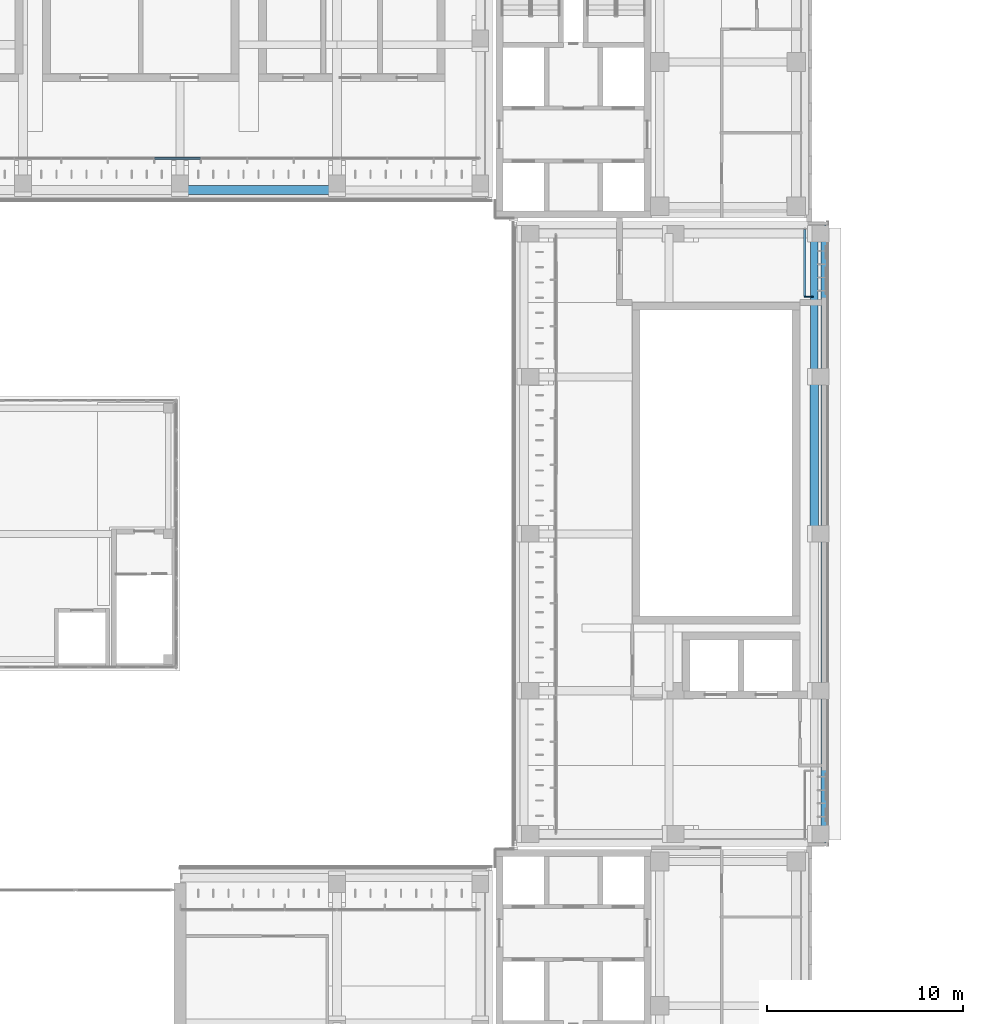
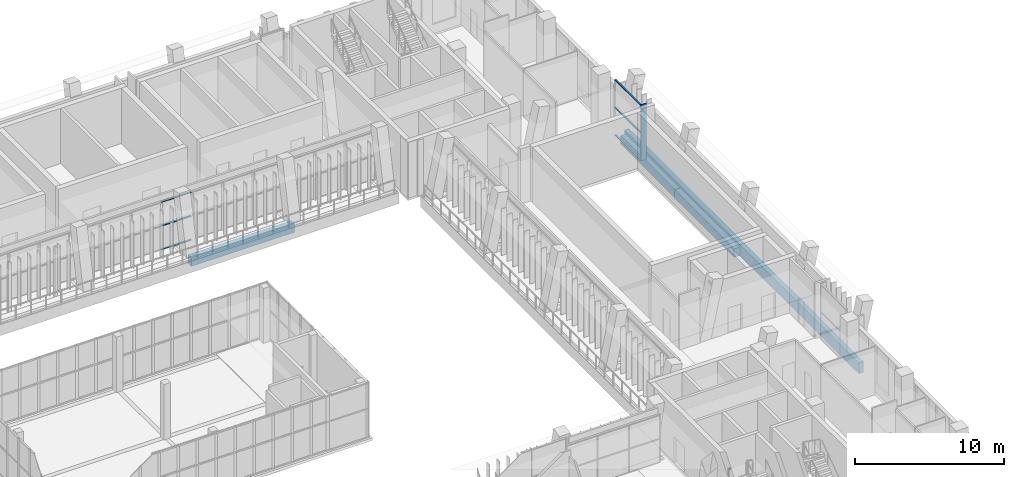
# One storey, part 44 of 92: 7 members, 4 beams, 2 elements without a shape of their own.
"""IFC4 building model written with IfcOpenShell, lengths in metres."""

import ifcopenshell
import ifcopenshell.guid

model = None  # the IFC model being written
_history = None  # IfcOwnerHistory: only IFC2X3 demands one
_inside = {}  # id of a spatial element -> (the spatial element, [elements in it])
_under = {}  # id of a project, library or spatial element -> (it, [spatial elements below it])
_declared = {}  # id of a project -> (the project, [libraries it declares])
_typed = {}  # id of a type object -> (the type object, [elements of that type])
_made_of = {}  # id of a material, layer set ... -> (it, [elements and type objects made of it])


def new_model(schema):
    """Start an empty IFC model of exactly this schema.

    Asked for "IFC4X3", IfcOpenShell would pick the latest addendum, in which some entities
    have other attributes; the version numbers below select the first issue.
    IFC2X3 requires an IfcOwnerHistory on every rooted entity: one is made here for all.
    """
    global model, _history
    if schema == "IFC4X3":
        model = ifcopenshell.file(schema_version=(4, 3, 0, 0))
    else:
        model = ifcopenshell.file(schema=schema)
    _inside.clear()
    _under.clear()
    _declared.clear()
    _typed.clear()
    _made_of.clear()
    _history = None
    if model.schema == "IFC2X3":
        org = make("IfcOrganization", Name="unknown")
        user = make(
            "IfcPersonAndOrganization",
            ThePerson=make("IfcPerson", FamilyName="unknown"),
            TheOrganization=org,
        )
        app = make(
            "IfcApplication",
            ApplicationDeveloper=org,
            Version="unknown",
            ApplicationFullName="unknown",
            ApplicationIdentifier="unknown",
        )
        _history = make(
            "IfcOwnerHistory",
            OwningUser=user,
            OwningApplication=app,
            ChangeAction="ADDED",
            CreationDate=0,
        )
    return model


def make(cls, **values):
    """One entity of the class cls with the attributes given. An attribute that is None is left unset."""
    return model.create_entity(
        cls, **{name: value for name, value in values.items() if value is not None}
    )


def rooted(cls, **values):
    """An entity with a GlobalId (a new one), such as an element, a storey or a relation."""
    return make(cls, GlobalId=ifcopenshell.guid.new(), OwnerHistory=_history, **values)


def si_unit(unit_type, name, prefix=None):
    """IfcSIUnit, for example si_unit("LENGTHUNIT", "METRE", prefix="MILLI")."""
    return make("IfcSIUnit", UnitType=unit_type, Prefix=prefix, Name=name)


def assignment(units):
    """IfcUnitAssignment: the units of a project."""
    return None if units is None else make("IfcUnitAssignment", Units=units)


def point(xyz):
    """IfcCartesianPoint."""
    return None if xyz is None else make("IfcCartesianPoint", Coordinates=xyz)


def direction(xyz):
    """IfcDirection."""
    return None if xyz is None else make("IfcDirection", DirectionRatios=xyz)


def frame(location, z_axis=None, x_axis=None):
    """IfcAxis2Placement3D, a coordinate frame: its origin and axes. An axis left out is left unset."""
    return make(
        "IfcAxis2Placement3D",
        Location=point(location),
        Axis=direction(z_axis),
        RefDirection=direction(x_axis),
    )


def frame_2d(location, x_axis=None):
    """IfcAxis2Placement2D, a coordinate frame in the plane: its origin and x axis."""
    return make(
        "IfcAxis2Placement2D", Location=point(location), RefDirection=direction(x_axis)
    )


def origin():
    """The frame at (0, 0, 0) with its axes left unset."""
    return frame((0.0, 0.0, 0.0))


def origin_2d():
    """The frame at (0, 0) in the plane with its x axis left unset."""
    return frame_2d((0.0, 0.0))


def place(relative_to, where):
    """IfcLocalPlacement: puts the frame where relative to a parent placement (None: the world)."""
    return make(
        "IfcLocalPlacement", PlacementRelTo=relative_to, RelativePlacement=where
    )


def context(
    kind, dimensions, precision=None, world=None, true_north=None, identifier=None
):
    """IfcGeometricRepresentationContext, for example the 3D "Model" context."""
    return make(
        "IfcGeometricRepresentationContext",
        ContextIdentifier=identifier,
        ContextType=kind,
        CoordinateSpaceDimension=dimensions,
        Precision=precision,
        WorldCoordinateSystem=world,
        TrueNorth=true_north,
    )


def subcontext(parent, identifier, kind, view, scale=None):
    """IfcGeometricRepresentationSubContext, for example "Body" below "Model"."""
    return make(
        "IfcGeometricRepresentationSubContext",
        ContextIdentifier=identifier,
        ContextType=kind,
        ParentContext=parent,
        TargetScale=scale,
        TargetView=view,
    )


def project(units=None, contexts=None):
    """IfcProject with its units and contexts."""
    return rooted(
        "IfcProject",
        Name="project",
        RepresentationContexts=contexts,
        UnitsInContext=assignment(units),
    )


def spatial(cls, under=None, at=None, **own):
    """A site, building, storey or space (cls), placed at a placement, below another one or the project."""
    s = rooted(cls, ObjectPlacement=at, **own)
    if under is not None:
        _under.setdefault(under.id(), (under, []))[1].append(s)
    return s


def profile(cls, at=None, kind="AREA", **sizes):
    """A parametric profile (cls). Its sizes go by their IFC names, for example OverallWidth=200.0."""
    return make(cls, ProfileType=kind, Position=at, **sizes)


def rectangle(**sizes):
    """IfcRectangleProfileDef."""
    return profile("IfcRectangleProfileDef", **sizes)


def extrude(swept, where, along, depth):
    """IfcExtrudedAreaSolid: the profile swept, set in the frame where, extruded along a direction by depth."""
    return make(
        "IfcExtrudedAreaSolid",
        SweptArea=swept,
        Position=where,
        ExtrudedDirection=direction(along),
        Depth=depth,
    )


def shape(context_of_items, identifier, shape_type, items):
    """IfcShapeRepresentation: the items that make up one representation, for example the "Body"."""
    return make(
        "IfcShapeRepresentation",
        ContextOfItems=context_of_items,
        RepresentationIdentifier=identifier,
        RepresentationType=shape_type,
        Items=items,
    )


def material(Name=None, Category=None):
    """IfcMaterial."""
    return make("IfcMaterial", Name=Name, Category=Category)


def material_profile(
    of_material, cross_section, Name=None, Category=None, Priority=None
):
    """IfcMaterialProfile: a cross section and its material."""
    return make(
        "IfcMaterialProfile",
        Name=Name,
        Material=of_material,
        Profile=cross_section,
        Priority=Priority,
        Category=Category,
    )


def profile_set(profiles, Name=None, composite=None):
    """IfcMaterialProfileSet."""
    return make(
        "IfcMaterialProfileSet",
        Name=Name,
        MaterialProfiles=profiles,
        CompositeProfile=composite,
    )


def made_of(thing, what):
    """Note that an element or type object is made of a material, layer set ...; save() writes the relation."""
    if what is not None:
        _made_of.setdefault(what.id(), (what, []))[1].append(thing)
    return thing


def type_object(cls, material=None, **own):
    """A type object (cls), such as IfcWallType, which elements share."""
    return made_of(rooted(cls, **own), material)


def element(
    cls,
    number,
    at=None,
    inside=None,
    cuts=None,
    type_object=None,
    material=None,
    context=None,
    identifier="Body",
    shape_type=None,
    held_by="IfcProductDefinitionShape",
    body=None,
    shapes=None,
    **own,
):
    """One element of the class cls, such as IfcWall. Its Tag is "e" and its number.

    at: its placement. inside: the storey or other place that contains it. cuts: it is an
    opening in that element (IfcRelVoidsElement). A single representation is given by context,
    identifier, shape_type and body (its items); several are given by shapes. held_by: the class
    of the entity that holds the representations. save() writes the other relations.
    """
    e = rooted(cls, Tag="e%d" % number, ObjectPlacement=at, **own)
    if body is not None:
        shapes = [shape(context, identifier, shape_type, body)]
    if shapes is not None:
        e.Representation = make(held_by, Representations=shapes)
    if inside is not None:
        _inside.setdefault(inside.id(), (inside, []))[1].append(e)
    if cuts is not None:
        rooted(
            "IfcRelVoidsElement", RelatingBuildingElement=cuts, RelatedOpeningElement=e
        )
    if type_object is not None:
        _typed.setdefault(type_object.id(), (type_object, []))[1].append(e)
    return made_of(e, material)


def aggregate(whole, parts):
    """IfcRelAggregates: a whole, such as a stair, and the parts it consists of."""
    return rooted("IfcRelAggregates", RelatingObject=whole, RelatedObjects=parts)


def save(model, path):
    """Write the relations noted so far, then the file.

    IfcRelAggregates (storeys below a building ...), IfcRelContainedInSpatialStructure (elements
    in a storey), IfcRelDefinesByType, IfcRelAssociatesMaterial and IfcRelDeclares: one each for
    every whole, place, type object, material and project.
    """
    for whole, parts in _under.values():
        aggregate(whole, parts)
    for where, things in _inside.values():
        rooted(
            "IfcRelContainedInSpatialStructure",
            RelatedElements=things,
            RelatingStructure=where,
        )
    for kind, things in _typed.values():
        rooted("IfcRelDefinesByType", RelatedObjects=things, RelatingType=kind)
    for what, things in _made_of.values():
        rooted("IfcRelAssociatesMaterial", RelatedObjects=things, RelatingMaterial=what)
    for by, libraries in _declared.values():
        rooted("IfcRelDeclares", RelatingContext=by, RelatedDefinitions=libraries)
    model.write(path)


model = new_model("IFC4")

# Units and contexts
model_context = context("Model", 3, precision=1e-05, world=origin(), true_north=direction((0.0, 1.0)))
body_context = subcontext(model_context, "Body", "Model", "MODEL_VIEW")
ifc_project = project(units=[si_unit("LENGTHUNIT", "METRE"), si_unit("AREAUNIT", "SQUARE_METRE"), si_unit("VOLUMEUNIT", "CUBIC_METRE"), si_unit("PLANEANGLEUNIT", "RADIAN"), si_unit("MASSUNIT", "GRAM", prefix="KILO")], contexts=[model_context])

# Site, building, storey
site_placement = place(None, origin())
site = spatial("IfcSite", under=ifc_project, at=site_placement, CompositionType="ELEMENT")
building_placement = place(site_placement, origin())
building = spatial("IfcBuilding", under=site, at=building_placement, Name="Lantern Court Media Centre", CompositionType="ELEMENT")
storey_placement = place(building_placement, frame((0.0, 0.0, 4.800048828125)))
storey = spatial("IfcBuildingStorey", under=building, at=storey_placement, Name="L01", CompositionType="ELEMENT", Elevation=4.800048828125)

# Curtain wall, member
ifc_material_1 = material(Name="Curtain wall bay 3000")
curtain_wall_type_1 = type_object("IfcCurtainWallType", Name="Curtain wall bay 3000", PredefinedType="NOTDEFINED", material=ifc_material_1)
curtain_wall_1_placement = place(storey_placement, origin())
curtain_wall_1 = element("IfcCurtainWall", 1, at=curtain_wall_1_placement, inside=storey, type_object=curtain_wall_type_1, Name="Curtain wall E outer L01", PredefinedType="NOTDEFINED")
ifc_material_2 = material(Name="Anodised aluminium", Category="aluminium")
ifc_material_profile_1 = material_profile(ifc_material_2, rectangle(XDim=0.449951171875, YDim=0.06005859375, at=origin_2d()), Name="AL 60x450")
ifc_profile_set_1 = profile_set([ifc_material_profile_1], Name="Anodised aluminium")
member_type_1 = type_object("IfcMemberType", Name="Curtain wall mullion 60x450", PredefinedType="MULLION", material=ifc_profile_set_1)
member_1_placement = place(storey_placement, frame((96.044921875, 92.080078125, 0.0), z_axis=(0.0, 0.0, 1.0), x_axis=(-1.0, 0.0, 0.0)))
member_1 = element("IfcMember", 2, at=member_1_placement, type_object=member_type_1, Name="CW1 mullion 1", PredefinedType="MULLION", context=body_context, shape_type="SweptSolid", body=[
    extrude(rectangle(XDim=0.449951171875, YDim=0.06005859375, at=origin_2d()), origin(), (0.0, 0.0, 1.0), 4.579833984375),
])

# Curtain wall, members
ifc_material_3 = material(Name="Curtain wall bay 2400")
curtain_wall_type_2 = type_object("IfcCurtainWallType", Name="Curtain wall bay 2400", PredefinedType="NOTDEFINED", material=ifc_material_3)
curtain_wall_2_placement = place(storey_placement, origin())
curtain_wall_2 = element("IfcCurtainWall", 3, at=curtain_wall_2_placement, inside=storey, type_object=curtain_wall_type_2, Name="Curtain wall N inner L01", PredefinedType="NOTDEFINED")
ifc_material_profile_2 = material_profile(ifc_material_2, rectangle(XDim=0.10009765625, YDim=0.050048828125, at=origin_2d()), Name="AL 50x100")
ifc_profile_set_2 = profile_set([ifc_material_profile_2], Name="Anodised aluminium")
member_type_2 = type_object("IfcMemberType", Name="Curtain wall transom 100x50", PredefinedType="USERDEFINED", material=ifc_profile_set_2)
member_2_placement = place(storey_placement, frame((62.70751953125, 99.14990234375, 0.02490234375), z_axis=(1.0, 0.0, 0.0), x_axis=(0.0, 1.0, 0.0)))
member_2 = element("IfcMember", 4, at=member_2_placement, type_object=member_type_2, Name="CW2 transom 17.1", ObjectType="TRANSOM", PredefinedType="USERDEFINED", context=body_context, shape_type="SweptSolid", body=[
    extrude(rectangle(XDim=0.10009765625, YDim=0.050048828125, at=origin_2d()), origin(), (0.0, 0.0, 1.0), 2.323974609375),
])
member_3_placement = place(storey_placement, frame((62.70751953125, 99.14990234375, 1.974853515625), z_axis=(1.0, 0.0, 0.0), x_axis=(0.0, 1.0, 0.0)))
member_3 = element("IfcMember", 5, at=member_3_placement, type_object=member_type_2, Name="CW2 transom 17.2", ObjectType="TRANSOM", PredefinedType="USERDEFINED", context=body_context, shape_type="SweptSolid", body=[
    extrude(rectangle(XDim=0.10009765625, YDim=0.050048828125, at=origin_2d()), origin(), (0.0, 0.0, 1.0), 2.323974609375),
])
member_4_placement = place(storey_placement, frame((62.70751953125, 99.14990234375, 3.925048828125), z_axis=(1.0, 0.0, 0.0), x_axis=(0.0, 1.0, 0.0)))
member_4 = element("IfcMember", 6, at=member_4_placement, type_object=member_type_2, Name="CW2 transom 17.3", ObjectType="TRANSOM", PredefinedType="USERDEFINED", context=body_context, shape_type="SweptSolid", body=[
    extrude(rectangle(XDim=0.10009765625, YDim=0.050048828125, at=origin_2d()), origin(), (0.0, 0.0, 1.0), 2.323974609375),
])
aggregate(curtain_wall_2, [member_2, member_3, member_4])

# Member
ifc_material_profile_3 = material_profile(ifc_material_2, rectangle(XDim=0.1201171875, YDim=0.06005859375, at=origin_2d()), Name="AL 60x120")
ifc_profile_set_3 = profile_set([ifc_material_profile_3], Name="Anodised aluminium")
member_type_3 = type_object("IfcMemberType", Name="Curtain wall transom 60x120", PredefinedType="USERDEFINED", material=ifc_profile_set_3)
member_5_placement = place(storey_placement, frame((95.85009765625, 92.110107421875, 0.030029296875), z_axis=(0.0, 1.0, 0.0), x_axis=(-1.0, 0.0, 0.0)))
member_5 = element("IfcMember", 7, at=member_5_placement, type_object=member_type_3, Name="CW1 transom 1.1", ObjectType="TRANSOM", PredefinedType="USERDEFINED", context=body_context, shape_type="SweptSolid", body=[
    extrude(rectangle(XDim=0.1201171875, YDim=0.06005859375, at=origin_2d()), origin(), (0.0, 0.0, 1.0), 3.409912109375),
])

member_6_placement = place(storey_placement, frame((95.85009765625, 92.110107421875, 2.2900390625), z_axis=(0.0, 1.0, 0.0), x_axis=(-1.0, 0.0, 0.0)))
member_6 = element("IfcMember", 8, at=member_6_placement, type_object=member_type_3, Name="CW1 transom 1.2", ObjectType="TRANSOM", PredefinedType="USERDEFINED", context=body_context, shape_type="SweptSolid", body=[
    extrude(rectangle(XDim=0.1201171875, YDim=0.06005859375, at=origin_2d()), origin(), (0.0, 0.0, 1.0), 3.409912109375),
])

member_7_placement = place(storey_placement, frame((95.85009765625, 92.110107421875, 4.550048828125), z_axis=(0.0, 1.0, 0.0), x_axis=(-1.0, 0.0, 0.0)))
member_7 = element("IfcMember", 9, at=member_7_placement, type_object=member_type_3, Name="CW1 transom 1.3", ObjectType="TRANSOM", PredefinedType="USERDEFINED", context=body_context, shape_type="SweptSolid", body=[
    extrude(rectangle(XDim=0.1201171875, YDim=0.06005859375, at=origin_2d()), origin(), (0.0, 0.0, 1.0), 3.409912109375),
])

aggregate(curtain_wall_1, [member_1, member_5, member_6, member_7])

# Beams
ifc_material_4 = material(Name="Concrete C35", Category="concrete")
ifc_material_profile_4 = material_profile(ifc_material_4, rectangle(XDim=0.35009765625, YDim=0.89990234375, at=origin_2d()), Name="RC 350x900")
ifc_profile_set_4 = profile_set([ifc_material_profile_4], Name="Concrete C35")
beam_type_1 = type_object("IfcBeamType", Name="RC BEAM 350x900", PredefinedType="BEAM", material=ifc_profile_set_4)
beam_1_placement = place(storey_placement, frame((96.85009765625, 64.25, -0.449951171875), z_axis=(0.0, 1.0, 0.0), x_axis=(-1.0, 0.0, 0.0)))
element("IfcBeam", 10, at=beam_1_placement, inside=storey, type_object=beam_type_1, Name="EB-E-L01-B", PredefinedType="BEAM", context=body_context, shape_type="SweptSolid", body=[
    extrude(rectangle(XDim=0.35009765625, YDim=0.89990234375, at=origin_2d()), origin(), (0.0, 0.0, 1.0), 31.5),
])
ifc_material_profile_5 = material_profile(ifc_material_4, rectangle(XDim=0.39990234375, YDim=0.699951171875, at=origin_2d()), Name="RC 400x700")
ifc_profile_set_5 = profile_set([ifc_material_profile_5], Name="Concrete C35")
beam_type_2 = type_object("IfcBeamType", Name="RC BEAM 400x700", PredefinedType="BEAM", material=ifc_profile_set_5)
beam_2_placement = place(storey_placement, frame((96.3271484375, 88.0, -0.35009765625), z_axis=(0.0, 1.0, 0.0), x_axis=(-1.0, 0.0, 0.0)))
element("IfcBeam", 11, at=beam_2_placement, inside=storey, type_object=beam_type_2, Name="LB-E-L01-2-3", PredefinedType="BEAM", context=body_context, shape_type="SweptSolid", body=[
    extrude(rectangle(XDim=0.39990234375, YDim=0.699951171875, at=origin_2d()), origin(), (0.0, 0.0, 1.0), 7.300048828125),
])
ifc_material_profile_6 = material_profile(ifc_material_4, rectangle(XDim=0.449951171875, YDim=0.699951171875, at=origin_2d()), Name="RC 450x700")
ifc_profile_set_6 = profile_set([ifc_material_profile_6], Name="Concrete C35")
beam_type_3 = type_object("IfcBeamType", Name="RC BEAM 450x700", PredefinedType="BEAM", material=ifc_profile_set_6)
for number, where, z_axis, x_axis, name in (
    (12, (64.0, 97.527099609375, -0.35009765625), (1.0, 0.0, 0.0), (0.0, 1.0, 0.0), "LB-N-L01-0-5"),
    (13, (96.3271484375, 80.0, -0.35009765625), (0.0, 1.0, 0.0), (-1.0, 0.0, 0.0), "LB-E-L01-2-2"),
):
    element("IfcBeam", number, at=place(storey_placement, frame(where, z_axis=z_axis, x_axis=x_axis)), inside=storey, type_object=beam_type_3, Name=name, PredefinedType="BEAM", context=body_context, shape_type="SweptSolid", body=[
        extrude(rectangle(XDim=0.449951171875, YDim=0.699951171875, at=origin_2d()), origin(), (0.0, 0.0, 1.0), 8.0),
    ])

save(model, "model.ifc")
